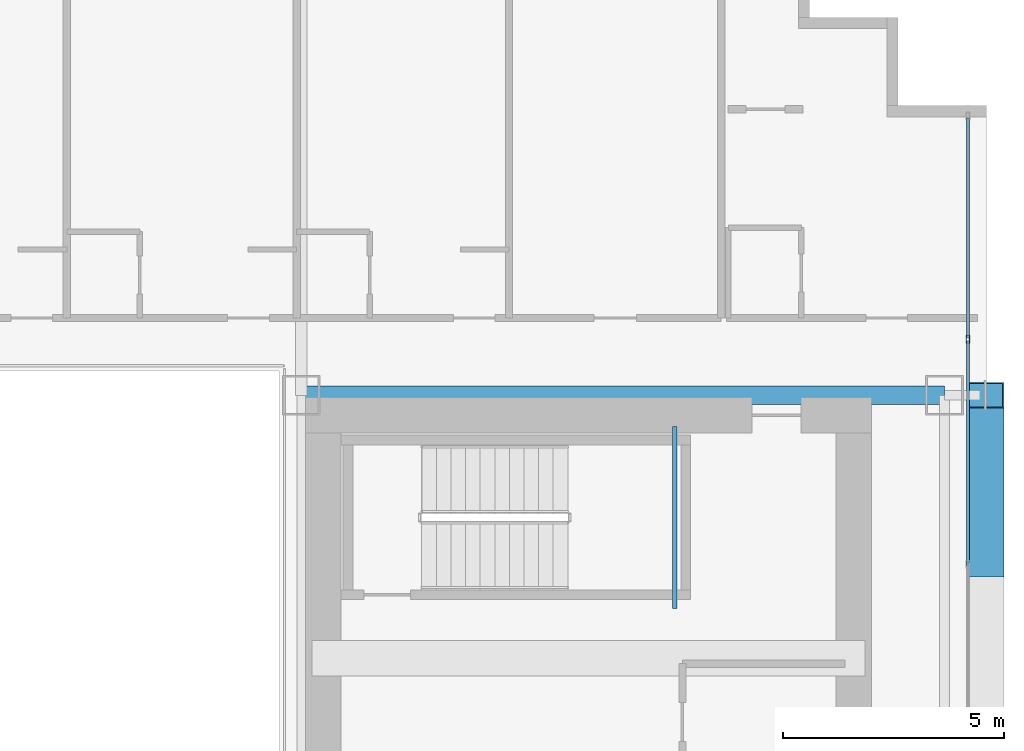
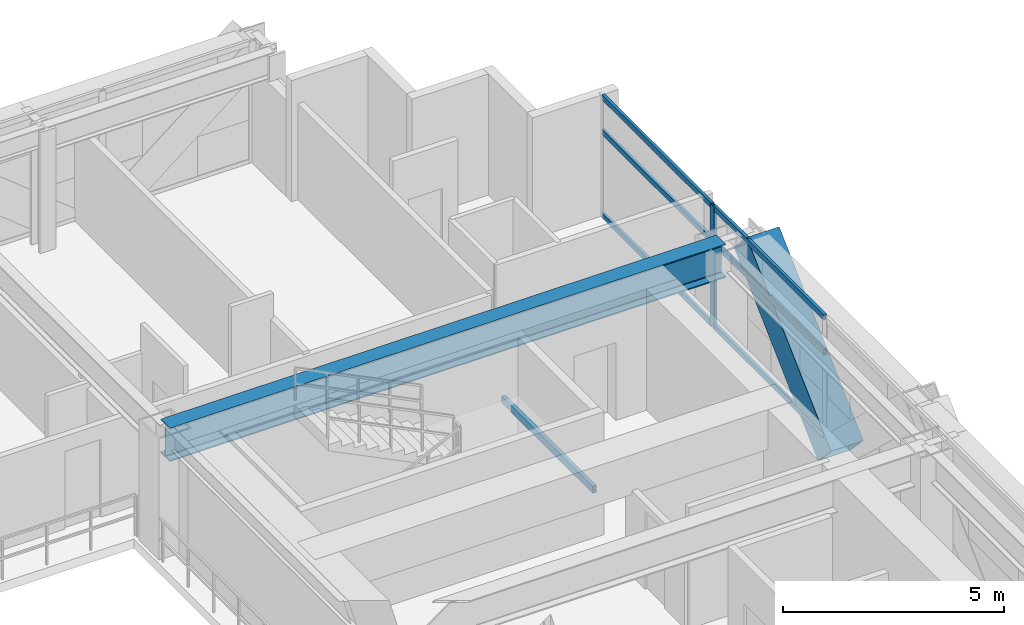
# One storey, part 20 of 38: 8 members, 2 beams, 1 element without a shape of its own.
"""IFC4 building model written with IfcOpenShell, lengths in metres."""

from ifc_helpers import new_model, si_unit, direction, frame, origin, origin_2d, place, context, subcontext, project, spatial, hollow_rectangle, i_section, extrude, source, transform, mapped, material, layer, layer_set, material_profile, profile_set, type_object, element, aggregate, save


model = new_model("IFC4")

# Units and contexts
model_context = context("Model", 3, precision=1e-05, world=origin(), true_north=direction((0.0, 1.0)))
body_context = subcontext(model_context, "Body", "Model", "MODEL_VIEW")
ifc_project = project(units=[si_unit("LENGTHUNIT", "METRE"), si_unit("AREAUNIT", "SQUARE_METRE"), si_unit("VOLUMEUNIT", "CUBIC_METRE"), si_unit("PLANEANGLEUNIT", "RADIAN"), si_unit("MASSUNIT", "GRAM", prefix="KILO")], contexts=[model_context])

# Site, building, storey
site_placement = place(None, origin())
site = spatial("IfcSite", under=ifc_project, at=site_placement, CompositionType="ELEMENT")
building_placement = place(site_placement, origin())
building = spatial("IfcBuilding", under=site, at=building_placement, Name="Ocotamira Hotel", CompositionType="ELEMENT")
storey_placement = place(building_placement, frame((0.0, 0.0, 74.39990234375)))
storey = spatial("IfcBuildingStorey", under=building, at=storey_placement, Name="L18", CompositionType="ELEMENT", Elevation=74.39990234375)

# Beams
ifc_material_1 = material(Name="Steel ASTM A500 Grade C", Category="steel")
ifc_material_profile_1 = material_profile(ifc_material_1, hollow_rectangle(XDim=0.10009765625, YDim=0.199951171875, WallThickness=0.008056640625, at=origin_2d()), Name="HSS200X100X8")
ifc_profile_set_1 = profile_set([ifc_material_profile_1], Name="Steel ASTM A500 Grade C")
beam_type_1 = type_object("IfcBeamType", Name="BM-STLDG-HSS200", PredefinedType="BEAM", material=ifc_profile_set_1)
shared_shape_1 = source(origin(), body_context, "Body", "SweptSolid", [
    extrude(hollow_rectangle(XDim=0.10009765625, YDim=0.199951171875, WallThickness=0.008056640625, at=origin_2d()), origin(), (0.0, 0.0, 1.0), 4.1201171875),
])
beam_1_placement = place(storey_placement, frame((48.949951171875, 32.6298828125, 1.5), z_axis=(0.0, 1.0, 0.0), x_axis=(-1.0, 0.0, 0.0)))
element("IfcBeam", 1, at=beam_1_placement, inside=storey, type_object=beam_type_1, Name="L18 Stair ST-4 Landing Bearer 1", PredefinedType="BEAM", context=body_context, shape_type="MappedRepresentation", body=[
    mapped(shared_shape_1, transform((0.0, 0.0, 0.0), scale=1.0)),
])
ifc_material_2 = material(Name="Steel ASTM A992 Grade 50", Category="steel")
ifc_material_profile_2 = material_profile(ifc_material_2, i_section(OverallWidth=0.41796875, OverallDepth=0.927001953125, WebThickness=0.019287109375, FlangeThickness=0.031982421875, FilletRadius=0.02392578125, at=origin_2d()), Name="W36X231")
ifc_profile_set_2 = profile_set([ifc_material_profile_2], Name="Steel ASTM A992 Grade 50")
beam_type_2 = type_object("IfcBeamType", Name="BM-GIRD-W36X231", PredefinedType="BEAM", material=ifc_profile_set_2)
shared_shape_2 = source(origin(), body_context, "Body", "SweptSolid", [
    extrude(i_section(OverallWidth=0.41796875, OverallDepth=0.927001953125, WebThickness=0.019287109375, FlangeThickness=0.031982421875, FilletRadius=0.02392578125, at=origin_2d()), origin(), (0.0, 0.0, 1.0), 14.550048828125),
])
beam_2_placement = place(storey_placement, frame((40.5, 37.449951171875, 2.88671875), z_axis=(1.0, 0.0, 0.0), x_axis=(0.0, 1.0, 0.0)))
element("IfcBeam", 2, at=beam_2_placement, inside=storey, type_object=beam_type_2, Name="L18 Girder Y37.45 X40.5-55.05", PredefinedType="BEAM", context=body_context, shape_type="MappedRepresentation", body=[
    mapped(shared_shape_2, transform((0.0, 0.0, 0.0), scale=1.0)),
])

# Member
ifc_material_3 = material(Name="Pale-metal coated steel ASTM A913 Grade 65", Category="steel")
ifc_material_profile_3 = material_profile(ifc_material_3, hollow_rectangle(XDim=0.85009765625, YDim=0.85009765625, WallThickness=0.035888671875, at=origin_2d()), Name="BOX850X850X36")
ifc_profile_set_3 = profile_set([ifc_material_profile_3], Name="Pale-metal coated steel ASTM A913 Grade 65")
member_type_1 = type_object("IfcMemberType", Name="MEM-EXO-BOX850", PredefinedType="BRACE", material=ifc_profile_set_3)
shared_shape_3 = source(origin(), body_context, "Body", "SweptSolid", [
    extrude(hollow_rectangle(XDim=0.85009765625, YDim=0.85009765625, WallThickness=0.035888671875, at=origin_2d()), origin(), (0.0, 0.0, 1.0), 5.24658203125),
])
member_1_placement = place(storey_placement, frame((55.969970703125, 33.63330078125, -0.5), z_axis=(0.0, 0.727442733726, 0.686168397078), x_axis=(-1.0, 0.0, 0.0)))
element("IfcMember", 3, at=member_1_placement, inside=storey, type_object=member_type_1, Name="L18 Exoskeleton Diagrid E2.2", PredefinedType="BRACE", context=body_context, shape_type="MappedRepresentation", body=[
    mapped(shared_shape_3, transform((0.0, 0.0, 0.0), scale=1.0)),
])

# Curtain wall, members
ifc_material_4 = material(Name="Anodised pale-metal aluminium and solar glass", Category="aluminium")
ifc_layer = layer(ifc_material_4, 0.179931640625)
ifc_layer_set = layer_set([ifc_layer], Name="Anodised pale-metal aluminium and solar glass")
curtain_wall_type = type_object("IfcCurtainWallType", Name="CW-SYS2-Z1", PredefinedType="NOTDEFINED", material=ifc_layer_set)
curtain_wall_placement = place(storey_placement, origin())
curtain_wall = element("IfcCurtainWall", 4, at=curtain_wall_placement, inside=storey, type_object=curtain_wall_type, Name="L18 Curtain Wall CW-2 CW-L18-E", PredefinedType="NOTDEFINED")
ifc_material_5 = material(Name="Anodised pale-metal aluminium 6063-T6", Category="aluminium")
ifc_material_profile_4 = material_profile(ifc_material_5, hollow_rectangle(XDim=0.074951171875, YDim=0.14990234375, WallThickness=0.006103515625, at=origin_2d()), Name="HSS150X75X6")
ifc_profile_set_4 = profile_set([ifc_material_profile_4], Name="Anodised pale-metal aluminium 6063-T6")
member_type_2 = type_object("IfcMemberType", Name="CWT-150X75", PredefinedType="USERDEFINED", material=ifc_profile_set_4)
shared_shape_4 = source(origin(), body_context, "Body", "SweptSolid", [
    extrude(hollow_rectangle(XDim=0.074951171875, YDim=0.14990234375, WallThickness=0.006103515625, at=origin_2d()), origin(), (0.0, 0.0, 1.0), 4.965576171875),
])
member_2_placement = place(storey_placement, frame((55.580078125, 38.75439453125, 0.03759765625), z_axis=(0.0, 1.0, 0.0), x_axis=(-1.0, 0.0, 0.0)))
member_2 = element("IfcMember", 5, at=member_2_placement, type_object=member_type_2, Name="CW-2 transom 7.1", ObjectType="TRANSOM", PredefinedType="USERDEFINED", context=body_context, shape_type="MappedRepresentation", body=[
    mapped(shared_shape_4, transform((0.0, 0.0, 0.0), scale=1.0)),
])
member_3_placement = place(storey_placement, frame((55.580078125, 38.75439453125, 2.35009765625), z_axis=(0.0, 1.0, 0.0), x_axis=(-1.0, 0.0, 0.0)))
member_3 = element("IfcMember", 6, at=member_3_placement, type_object=member_type_2, Name="CW-2 transom 7.2", ObjectType="TRANSOM", PredefinedType="USERDEFINED", context=body_context, shape_type="MappedRepresentation", body=[
    mapped(shared_shape_4, transform((0.0, 0.0, 0.0), scale=1.0)),
])
member_4_placement = place(storey_placement, frame((55.580078125, 38.75439453125, 3.3125), z_axis=(0.0, 1.0, 0.0), x_axis=(-1.0, 0.0, 0.0)))
member_4 = element("IfcMember", 7, at=member_4_placement, type_object=member_type_2, Name="CW-2 transom 7.3", ObjectType="TRANSOM", PredefinedType="USERDEFINED", context=body_context, shape_type="MappedRepresentation", body=[
    mapped(shared_shape_4, transform((0.0, 0.0, 0.0), scale=1.0)),
])
shared_shape_5 = source(origin(), body_context, "Body", "SweptSolid", [
    extrude(hollow_rectangle(XDim=0.074951171875, YDim=0.14990234375, WallThickness=0.006103515625, at=origin_2d()), origin(), (0.0, 0.0, 1.0), 5.005859375),
])
member_5_placement = place(storey_placement, frame((55.580078125, 33.66845703125, 0.03759765625), z_axis=(0.0, 1.0, 0.0), x_axis=(-1.0, 0.0, 0.0)))
member_5 = element("IfcMember", 8, at=member_5_placement, type_object=member_type_2, Name="CW-2 transom 6.1", ObjectType="TRANSOM", PredefinedType="USERDEFINED", context=body_context, shape_type="MappedRepresentation", body=[
    mapped(shared_shape_5, transform((0.0, 0.0, 0.0), scale=1.0)),
])
member_6_placement = place(storey_placement, frame((55.580078125, 33.66845703125, 2.35009765625), z_axis=(0.0, 1.0, 0.0), x_axis=(-1.0, 0.0, 0.0)))
member_6 = element("IfcMember", 9, at=member_6_placement, type_object=member_type_2, Name="CW-2 transom 6.2", ObjectType="TRANSOM", PredefinedType="USERDEFINED", context=body_context, shape_type="MappedRepresentation", body=[
    mapped(shared_shape_5, transform((0.0, 0.0, 0.0), scale=1.0)),
])
member_7_placement = place(storey_placement, frame((55.580078125, 33.66845703125, 3.3125), z_axis=(0.0, 1.0, 0.0), x_axis=(-1.0, 0.0, 0.0)))
member_7 = element("IfcMember", 10, at=member_7_placement, type_object=member_type_2, Name="CW-2 transom 6.3", ObjectType="TRANSOM", PredefinedType="USERDEFINED", context=body_context, shape_type="MappedRepresentation", body=[
    mapped(shared_shape_5, transform((0.0, 0.0, 0.0), scale=1.0)),
])
ifc_material_profile_5 = material_profile(ifc_material_5, hollow_rectangle(XDim=0.080078125, YDim=0.179931640625, WallThickness=0.006103515625, at=origin_2d()), Name="HSS180X80X6")
ifc_profile_set_5 = profile_set([ifc_material_profile_5], Name="Anodised pale-metal aluminium 6063-T6")
member_type_3 = type_object("IfcMemberType", Name="CWM-180X75", PredefinedType="MULLION", material=ifc_profile_set_5)
shared_shape_6 = source(origin(), body_context, "Body", "SweptSolid", [
    extrude(hollow_rectangle(XDim=0.080078125, YDim=0.179931640625, WallThickness=0.006103515625, at=origin_2d()), origin(), (0.0, 0.0, 1.0), 3.35009765625),
])
member_8_placement = place(storey_placement, frame((55.580078125, 38.71435546875, 0.0), z_axis=(0.0, 0.0, 1.0), x_axis=(-1.0, 0.0, 0.0)))
member_8 = element("IfcMember", 11, at=member_8_placement, type_object=member_type_3, Name="CW-2 mullion 7", PredefinedType="MULLION", context=body_context, shape_type="MappedRepresentation", body=[
    mapped(shared_shape_6, transform((0.0, 0.0, 0.0), scale=1.0)),
])
aggregate(curtain_wall, [member_8, member_5, member_6, member_7, member_2, member_3, member_4])

save(model, "model.ifc")
